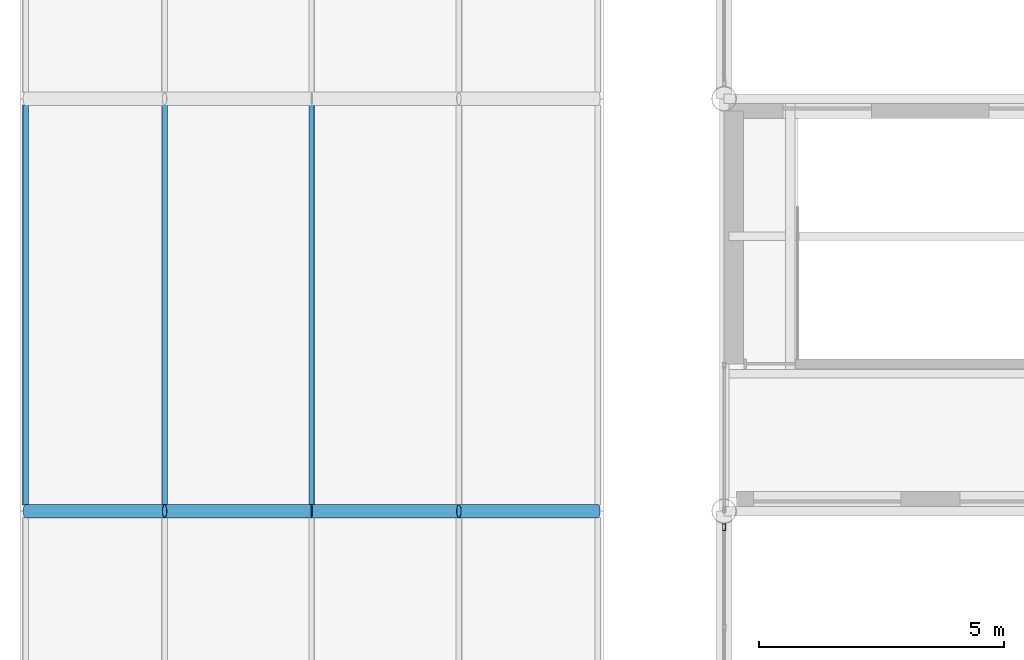
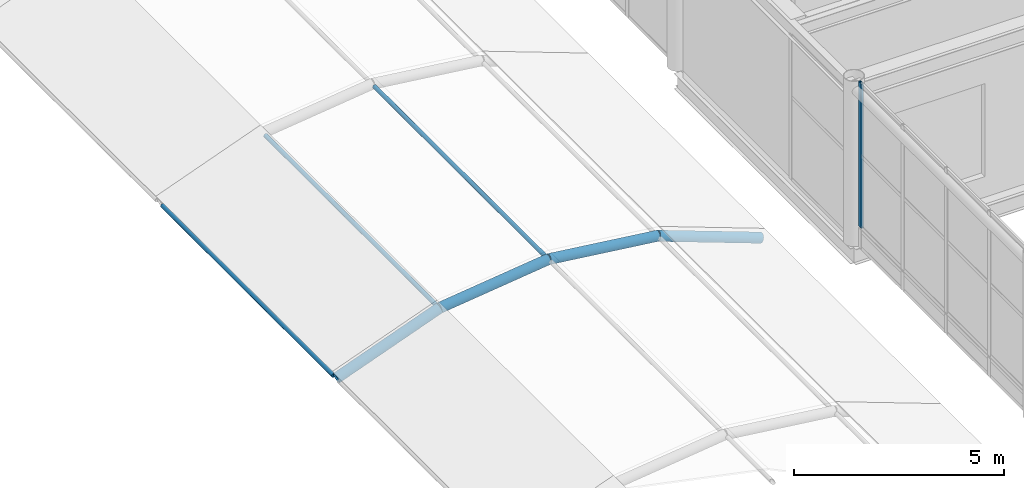
# One storey, part 54 of 167: 8 members, 1 element without a shape of its own.
"""IFC4 building model written with IfcOpenShell, lengths in metres."""

from ifc_helpers import new_model, si_unit, direction, frame, origin, origin_2d, place, context, subcontext, project, spatial, hollow_rectangle, hollow_circle, extrude, material, material_profile, profile_set, type_object, element, aggregate, save


model = new_model("IFC4")

# Units and contexts
model_context = context("Model", 3, precision=1e-05, world=origin(), true_north=direction((0.0, 1.0)))
body_context = subcontext(model_context, "Body", "Model", "MODEL_VIEW")
ifc_project = project(units=[si_unit("LENGTHUNIT", "METRE"), si_unit("AREAUNIT", "SQUARE_METRE"), si_unit("VOLUMEUNIT", "CUBIC_METRE"), si_unit("PLANEANGLEUNIT", "RADIAN"), si_unit("MASSUNIT", "GRAM", prefix="KILO")], contexts=[model_context])

# Site, building, storey
site_placement = place(None, origin())
site = spatial("IfcSite", under=ifc_project, at=site_placement, CompositionType="ELEMENT")
building_placement = place(site_placement, origin())
building = spatial("IfcBuilding", under=site, at=building_placement, Name="Catenary Quay Ferry Terminal", CompositionType="ELEMENT")
storey_placement = place(building_placement, frame((0.0, 0.0, 6.0)))
storey = spatial("IfcBuildingStorey", under=building, at=storey_placement, Name="L01", CompositionType="ELEMENT", Elevation=6.0)

# Curtain wall, member
ifc_material_1 = material(Name="Aluminium and glass", Category="aluminium")
curtain_wall_type = type_object("IfcCurtainWallType", Name="CWG", PredefinedType="NOTDEFINED", material=ifc_material_1)
curtain_wall_placement = place(storey_placement, origin())
curtain_wall = element("IfcCurtainWall", 1, at=curtain_wall_placement, inside=storey, type_object=curtain_wall_type, Name="Gable arrivals hall curtain wall CW4", PredefinedType="NOTDEFINED")
ifc_material_2 = material(Name="Aluminium", Category="aluminium")
ifc_material_profile_1 = material_profile(ifc_material_2, hollow_rectangle(XDim=0.06005859375, YDim=0.139892578125, WallThickness=0.006103515625, at=origin_2d()), Name="MU2")
ifc_profile_set_1 = profile_set([ifc_material_profile_1], Name="Aluminium")
member_type_1 = type_object("IfcMemberType", Name="MU2", PredefinedType="MULLION", material=ifc_profile_set_1)
member_1_placement = place(storey_placement, frame((25.199951171875, 100.469970703125, 0.60009765625), z_axis=(0.0, 0.0, 1.0), x_axis=(-1.0, 0.0, 0.0)))
member_1 = element("IfcMember", 2, at=member_1_placement, type_object=member_type_1, Name="CW4 mullion 17", PredefinedType="MULLION", context=body_context, shape_type="SweptSolid", body=[
    extrude(hollow_rectangle(XDim=0.06005859375, YDim=0.139892578125, WallThickness=0.006103515625, at=origin_2d()), origin(), (0.0, 0.0, 1.0), 4.199951171875),
])
aggregate(curtain_wall, [member_1])

# Members
ifc_material_3 = material(Name="Steel S355", Category="steel")
ifc_material_profile_2 = material_profile(ifc_material_3, hollow_circle(Radius=0.05712890625, WallThickness=0.00634765625, at=origin_2d()), Name="CHS 114.3x6.3")
ifc_profile_set_2 = profile_set([ifc_material_profile_2], Name="Steel S355")
member_type_2 = type_object("IfcMemberType", Name="PU2 CHS 114.3x6.3", PredefinedType="PURLIN", material=ifc_profile_set_2)
for number, where, z_axis, x_axis, name in (
    (3, (10.970947265625, 100.929931640625, 0.98388671875), (0.0, 1.0, 0.0), (-1.0, 0.0, 0.0), "Purlin PU-FC-05-01"),
    (4, (13.802978515625, 100.929931640625, 2.031005859375), (0.0, 1.0, 0.0), (-1.0, 0.0, 0.0), "Purlin PU-FC-05-02"),
    (5, (16.800048828125, 100.929931640625, 2.39990234375), (0.0, 1.0, 0.0), (-1.0, 0.0, 0.0), "Purlin PU-FC-05-03"),
):
    element("IfcMember", number, at=place(storey_placement, frame(where, z_axis=z_axis, x_axis=x_axis)), inside=storey, type_object=member_type_2, Name=name, PredefinedType="PURLIN", context=body_context, shape_type="SweptSolid", body=[
        extrude(hollow_circle(Radius=0.05712890625, WallThickness=0.00634765625, at=origin_2d()), origin(), (0.0, 0.0, 1.0), 8.14013671875),
    ])
ifc_material_4 = material(Name="Steel S355", Category="steel")
ifc_material_profile_3 = material_profile(ifc_material_4, hollow_circle(Radius=0.136474609375, WallThickness=0.012451171875, at=origin_2d()), Name="CHS 273x12.5")
ifc_profile_set_3 = profile_set([ifc_material_profile_3], Name="Steel S355")
member_type_3 = type_object("IfcMemberType", Name="VR2 CHS 273x12.5", PredefinedType="RAFTER", material=ifc_profile_set_3)
member_2_placement = place(storey_placement, frame((10.970947265625, 100.800048828125, 0.98388671875), z_axis=(0.937940762231, 0.0, 0.346795511139), x_axis=(0.0, 1.0, 0.0)))
element("IfcMember", 6, at=member_2_placement, inside=storey, type_object=member_type_3, Name="rib FC-05-02", PredefinedType="RAFTER", context=body_context, shape_type="SweptSolid", body=[
    extrude(hollow_circle(Radius=0.136474609375, WallThickness=0.012451171875, at=origin_2d()), origin(), (0.0, 0.0, 1.0), 3.01953125),
])
for number, where, z_axis, x_axis, name in (
    (7, (13.802978515625, 100.800048828125, 2.031005859375), (0.992509955251, 0.0, 0.122163778298), (0.0, 1.0, 0.0), "rib FC-05-03"),
    (8, (16.800048828125, 100.800048828125, 2.39990234375), (0.992509955251, 0.0, -0.122163778298), (0.0, 1.0, 0.0), "rib FC-05-04"),
):
    element("IfcMember", number, at=place(storey_placement, frame(where, z_axis=z_axis, x_axis=x_axis)), inside=storey, type_object=member_type_3, Name=name, PredefinedType="RAFTER", context=body_context, shape_type="SweptSolid", body=[
        extrude(hollow_circle(Radius=0.136474609375, WallThickness=0.012451171875, at=origin_2d()), origin(), (0.0, 0.0, 1.0), 3.019775390625),
    ])
member_3_placement = place(storey_placement, frame((19.797119140625, 100.800048828125, 2.031005859375), z_axis=(0.93793103669, 0.0, -0.346821813636), x_axis=(0.0, 1.0, 0.0)))
element("IfcMember", 9, at=member_3_placement, inside=storey, type_object=member_type_3, Name="rib FC-05-05", PredefinedType="RAFTER", context=body_context, shape_type="SweptSolid", body=[
    extrude(hollow_circle(Radius=0.136474609375, WallThickness=0.012451171875, at=origin_2d()), origin(), (0.0, 0.0, 1.0), 3.019287109375),
])

save(model, "model.ifc")
